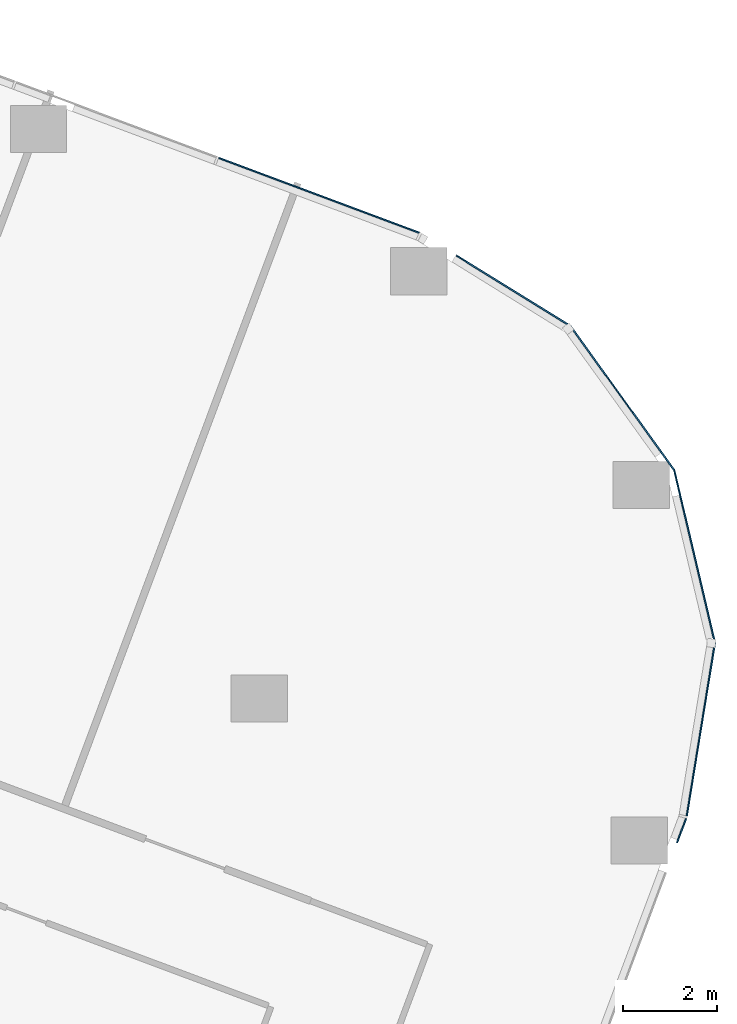
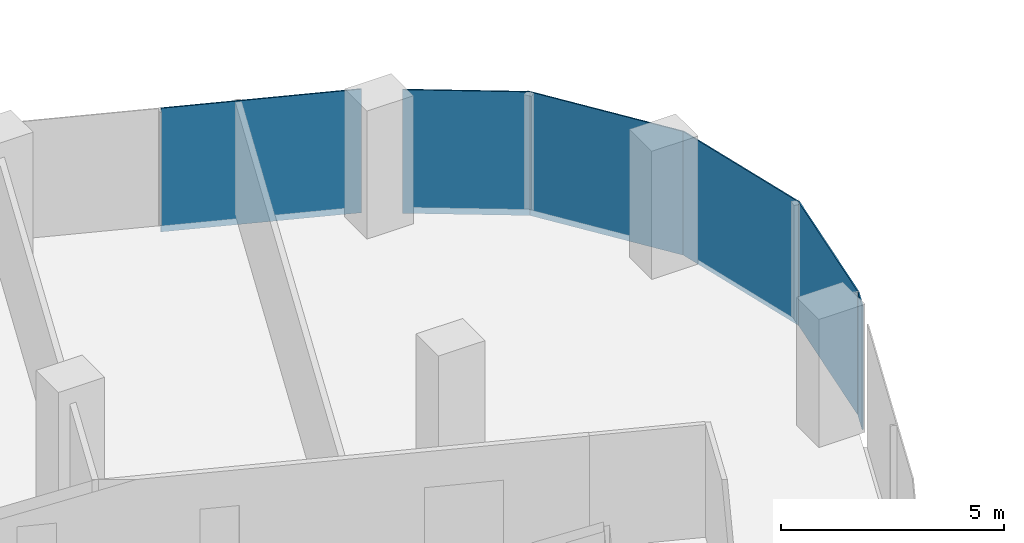
# One storey, part 20 of 31: 6 plates, 6 elements without a shape of their own.
"""IFC4 building model written with IfcOpenShell, lengths in metres."""

from ifc_helpers import new_model, si_unit, direction, frame, origin, origin_2d, place, context, subcontext, project, spatial, rectangle, extrude, material, layer, layer_set, type_object, element, aggregate, save


model = new_model("IFC4")

# Units and contexts
model_context = context("Model", 3, precision=1e-05, world=origin(), true_north=direction((0.0, 1.0)))
body_context = subcontext(model_context, "Body", "Model", "MODEL_VIEW")
ifc_project = project(units=[si_unit("LENGTHUNIT", "METRE"), si_unit("AREAUNIT", "SQUARE_METRE"), si_unit("VOLUMEUNIT", "CUBIC_METRE"), si_unit("PLANEANGLEUNIT", "RADIAN"), si_unit("MASSUNIT", "GRAM", prefix="KILO")], contexts=[model_context])

# Site, building, storey
site_placement = place(None, origin())
site = spatial("IfcSite", under=ifc_project, at=site_placement, CompositionType="ELEMENT")
building_placement = place(site_placement, origin())
building = spatial("IfcBuilding", under=site, at=building_placement, Name="Orlundy Tower", CompositionType="ELEMENT")
storey_placement = place(building_placement, frame((0.0, 0.0, 84.199951171875)))
storey = spatial("IfcBuildingStorey", under=building, at=storey_placement, Name="L20", CompositionType="ELEMENT", Elevation=84.199951171875)

# Curtain wall, plate
ifc_material_1 = material(Name="Aluminium bronze anodised", Category="aluminium")
curtain_wall_type = type_object("IfcCurtainWallType", Name="CW1 wall", PredefinedType="NOTDEFINED", material=ifc_material_1)
curtain_wall_1_placement = place(storey_placement, origin())
curtain_wall_1 = element("IfcCurtainWall", 1, at=curtain_wall_1_placement, inside=storey, type_object=curtain_wall_type, Name="CW1 run 06", PredefinedType="NOTDEFINED")
ifc_material_2 = material(Name="Tinted glass", Category="glass")
ifc_layer = layer(ifc_material_2, 0.031982421875)
ifc_layer_set = layer_set([ifc_layer], Name="CW1 glass panel 32")
plate_type = type_object("IfcPlateType", Name="CW1 glass panel 32", PredefinedType="CURTAIN_PANEL", material=ifc_layer_set)
plate_1_placement = place(storey_placement, frame((51.75390625, 2.17724609375, -0.27978515625), z_axis=(0.0, 0.0, 1.0), x_axis=(0.93667352363, -0.350203812273, 0.0)))
plate_1 = element("IfcPlate", 2, at=plate_1_placement, type_object=plate_type, Name="CW1 panel", PredefinedType="CURTAIN_PANEL", context=body_context, shape_type="SweptSolid", body=[
    extrude(rectangle(XDim=4.5546875, YDim=0.031982421875, at=origin_2d()), origin(), (0.0, 0.0, 1.0), 3.3798828125),
])
aggregate(curtain_wall_1, [plate_1])

curtain_wall_2_placement = place(storey_placement, origin())
curtain_wall_2 = element("IfcCurtainWall", 3, at=curtain_wall_2_placement, inside=storey, type_object=curtain_wall_type, Name="CW1 run 07", PredefinedType="NOTDEFINED")
plate_2_placement = place(storey_placement, frame((55.89013671875, 0.146240234375, -0.27978515625), z_axis=(0.0, 0.0, 1.0), x_axis=(0.850414609011, -0.526113098849, 0.0)))
plate_2 = element("IfcPlate", 4, at=plate_2_placement, type_object=plate_type, Name="CW1 panel", PredefinedType="CURTAIN_PANEL", context=body_context, shape_type="SweptSolid", body=[
    extrude(rectangle(XDim=2.855224609375, YDim=0.031982421875, at=origin_2d()), origin(), (0.0, 0.0, 1.0), 3.3798828125),
])
aggregate(curtain_wall_2, [plate_2])

curtain_wall_3_placement = place(storey_placement, origin())
curtain_wall_3 = element("IfcCurtainWall", 5, at=curtain_wall_3_placement, inside=storey, type_object=curtain_wall_type, Name="CW1 run 08", PredefinedType="NOTDEFINED")
plate_3_placement = place(storey_placement, frame((58.20556640625, -2.1357421875, -0.27978515625), z_axis=(0.0, 0.0, 1.0), x_axis=(0.584041752233, -0.811723617772, 0.0)))
plate_3 = element("IfcPlate", 6, at=plate_3_placement, type_object=plate_type, Name="CW1 panel", PredefinedType="CURTAIN_PANEL", context=body_context, shape_type="SweptSolid", body=[
    extrude(rectangle(XDim=3.772216796875, YDim=0.031982421875, at=origin_2d()), origin(), (0.0, 0.0, 1.0), 3.3798828125),
])
aggregate(curtain_wall_3, [plate_3])

curtain_wall_4_placement = place(storey_placement, origin())
curtain_wall_4 = element("IfcCurtainWall", 7, at=curtain_wall_4_placement, inside=storey, type_object=curtain_wall_type, Name="CW1 run 09", PredefinedType="NOTDEFINED")
plate_4_placement = place(storey_placement, frame((59.73974609375, -5.50244140625, -0.27978515625), z_axis=(0.0, 0.0, 1.0), x_axis=(0.229309985845, -0.97335344577, 0.0)))
plate_4 = element("IfcPlate", 8, at=plate_4_placement, type_object=plate_type, Name="CW1 panel", PredefinedType="CURTAIN_PANEL", context=body_context, shape_type="SweptSolid", body=[
    extrude(rectangle(XDim=3.77197265625, YDim=0.031982421875, at=origin_2d()), origin(), (0.0, 0.0, 1.0), 3.3798828125),
])
aggregate(curtain_wall_4, [plate_4])

curtain_wall_5_placement = place(storey_placement, origin())
curtain_wall_5 = element("IfcCurtainWall", 9, at=curtain_wall_5_placement, inside=storey, type_object=curtain_wall_type, Name="CW1 run 010", PredefinedType="NOTDEFINED")
plate_5_placement = place(storey_placement, frame((59.872314453125, -9.178955078125, -0.27978515625), z_axis=(0.0, 0.0, 1.0), x_axis=(-0.160810081906, -0.986985368462, 0.0)))
plate_5 = element("IfcPlate", 10, at=plate_5_placement, type_object=plate_type, Name="CW1 panel", PredefinedType="CURTAIN_PANEL", context=body_context, shape_type="SweptSolid", body=[
    extrude(rectangle(XDim=3.72998046875, YDim=0.031982421875, at=origin_2d()), origin(), (0.0, 0.0, 1.0), 3.3798828125),
])
aggregate(curtain_wall_5, [plate_5])

curtain_wall_6_placement = place(storey_placement, origin())
curtain_wall_6 = element("IfcCurtainWall", 11, at=curtain_wall_6_placement, inside=storey, type_object=curtain_wall_type, Name="CW1 run 011", PredefinedType="NOTDEFINED")
plate_6_placement = place(storey_placement, frame((59.463134765625, -11.3251953125, -0.27978515625), z_axis=(0.0, 0.0, 1.0), x_axis=(-0.350194360916, -0.936677057252, 0.0)))
plate_6 = element("IfcPlate", 12, at=plate_6_placement, type_object=plate_type, Name="CW1 panel", PredefinedType="CURTAIN_PANEL", context=body_context, shape_type="SweptSolid", body=[
    extrude(rectangle(XDim=0.549560546875, YDim=0.031982421875, at=origin_2d()), origin(), (0.0, 0.0, 1.0), 3.3798828125),
])
aggregate(curtain_wall_6, [plate_6])

save(model, "model.ifc")
